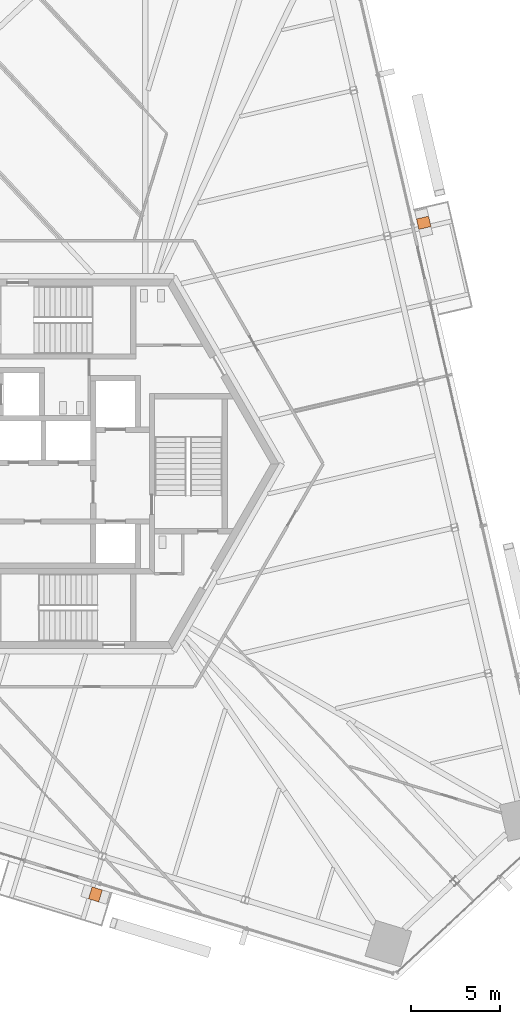
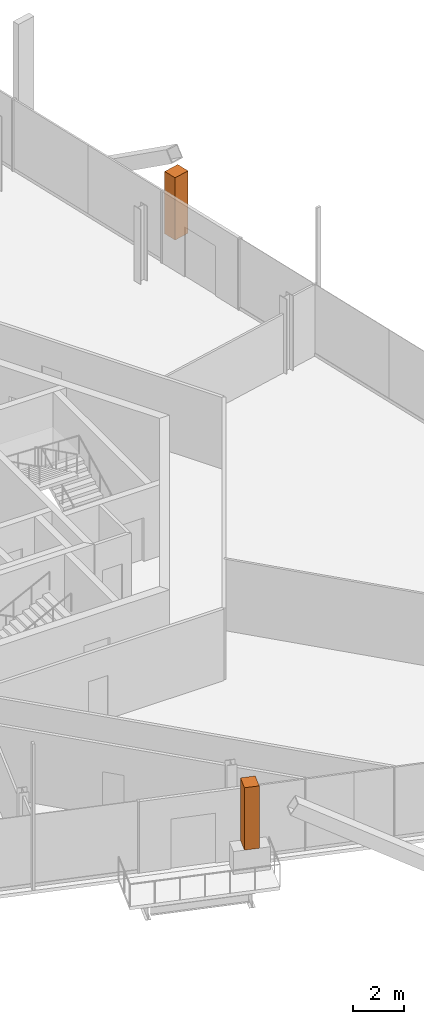
# One storey, part 23 of 23: 2 geographic elements.
"""IFC4 building model written with IfcOpenShell, lengths in metres."""

from ifc_helpers import new_model, si_unit, direction, frame, origin, origin_2d, place, context, subcontext, project, spatial, rectangle, extrude, source, transform, mapped, material, type_object, element, save


model = new_model("IFC4")

# Units and contexts
model_context = context("Model", 3, precision=1e-05, world=origin(), true_north=direction((0.0, 1.0)))
body_context = subcontext(model_context, "Body", "Model", "MODEL_VIEW")
ifc_project = project(units=[si_unit("LENGTHUNIT", "METRE"), si_unit("AREAUNIT", "SQUARE_METRE"), si_unit("VOLUMEUNIT", "CUBIC_METRE"), si_unit("PLANEANGLEUNIT", "RADIAN"), si_unit("MASSUNIT", "GRAM", prefix="KILO")], contexts=[model_context])

# Site, building, storey
site_placement = place(None, origin())
site = spatial("IfcSite", under=ifc_project, at=site_placement, CompositionType="ELEMENT")
building_placement = place(site_placement, origin())
building = spatial("IfcBuilding", under=site, at=building_placement, Name="Triune Harvest Tower", CompositionType="ELEMENT")
storey_placement = place(building_placement, frame((0.0, 0.0, 105.5)))
storey = spatial("IfcBuildingStorey", under=building, at=storey_placement, Name="L26", CompositionType="ELEMENT", Elevation=105.5)

# Geographic elements
ifc_material = material(Name="TREE-1 tree")
geographic_element_type = type_object("IfcGeographicElementType", Name="TREE-1 tree", PredefinedType="USERDEFINED", material=ifc_material)
shared_shape = source(origin(), body_context, "Body", "SweptSolid", [
    extrude(rectangle(XDim=0.60009765625, YDim=0.699951171875, at=origin_2d()), origin(), (0.0, 0.0, 1.0), 3.0),
])
for number, where, z_axis, x_axis, name in (
    (1, (20.140380859375, 13.55810546875, 1.10009765625), (0.0, 0.0, 1.0), (-0.22495121687, 0.974370027263, 0.0), "Tree B3-F1 L26.8b"),
    (2, (1.67138671875, -24.22119140625, 1.10009765625), (0.0, 0.0, 1.0), (0.956304229664, -0.292373426164, 0.0), "Tree B3-F5 L26.8b"),
):
    element("IfcGeographicElement", number, at=place(storey_placement, frame(where, z_axis=z_axis, x_axis=x_axis)), inside=storey, type_object=geographic_element_type, Name=name, ObjectType="TREE", PredefinedType="USERDEFINED", context=body_context, shape_type="MappedRepresentation", body=[
        mapped(shared_shape, transform((0.0, 0.0, 0.0), scale=1.0)),
    ])

save(model, "model.ifc")
